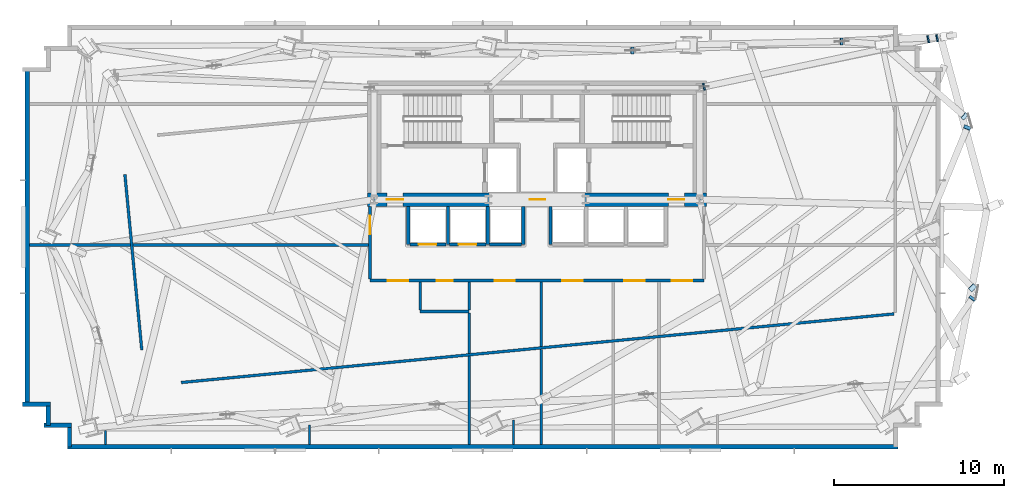
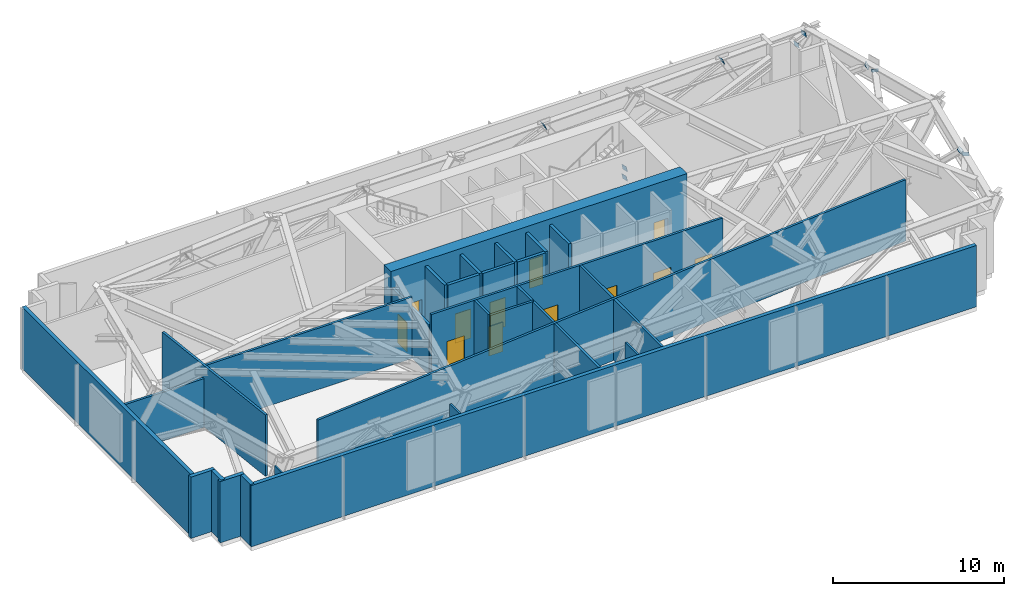
# One storey, part 6 of 11: 31 walls, 12 doors, 10 plates, 12 openings.
"""IFC4 building model written with IfcOpenShell, lengths in metres."""

from ifc_helpers import new_model, si_unit, direction, frame, frame_2d, origin, origin_2d, place, context, subcontext, project, spatial, rectangle, extrude, source, transform, mapped, material, layer, layer_set, type_object, type_shapes, element, fill, save


model = new_model("IFC4")

# Units and contexts
model_context = context("Model", 3, precision=1e-05, world=origin(), true_north=direction((0.0, 1.0)))
body_context = subcontext(model_context, "Body", "Model", "MODEL_VIEW")
ifc_project = project(units=[si_unit("LENGTHUNIT", "METRE"), si_unit("AREAUNIT", "SQUARE_METRE"), si_unit("VOLUMEUNIT", "CUBIC_METRE"), si_unit("PLANEANGLEUNIT", "RADIAN"), si_unit("MASSUNIT", "GRAM", prefix="KILO")], contexts=[model_context])

# Site, building, storey
site_placement = place(None, origin())
site = spatial("IfcSite", under=ifc_project, at=site_placement, CompositionType="ELEMENT")
building_placement = place(site_placement, origin())
building = spatial("IfcBuilding", under=site, at=building_placement, Name="Astriad Promenade Condominiums", CompositionType="ELEMENT")
storey_placement = place(building_placement, frame((0.0, 0.0, 67.800048828125)))
storey = spatial("IfcBuildingStorey", under=building, at=storey_placement, Name="L19", CompositionType="ELEMENT", Elevation=67.800048828125)

# Plates
ifc_material_1 = material(Name="Steel ASTM A572 Grade 50", Category="steel")
ifc_layer_1 = layer(ifc_material_1, 0.02490234375)
ifc_layer_set_1 = layer_set([ifc_layer_1], Name="Steel ASTM A572 Grade 50")
plate_type = type_object("IfcPlateType", Name="STEEL HOLLOW SECTION END CAP PLATE 30", PredefinedType="USERDEFINED", material=ifc_layer_set_1)
shared_shape_1 = source(origin(), body_context, "Body", "SweptSolid", [
    extrude(rectangle(XDim=0.41259765625, YDim=0.40771484375, at=origin_2d()), origin(), (0.0, 0.0, 1.0), 0.02490234375),
])
type_shapes(plate_type, [shared_shape_1])
for number, where, z_axis, x_axis, name in (
    (1, (41.61181640625, 26.203369140625, 4.189697265625), (0.906587220852, -0.031031662995, 0.420876046931), (0.034209063848, 0.999414698687, 0.0), "Hollow Section End Cap Plate BRACE-BELT-L19-07A-B"),
    (2, (53.953857421875, 26.73193359375, 4.190185546875), (0.917218163805, 0.021111279996, 0.397825531915), (-0.0230105454, 0.999735222347, 0.0), "Hollow Section End Cap Plate BRACE-BELT-L19-08A-B"),
    (3, (61.67529296875, 11.5546875, 4.006103515625), (0.527530110903, 0.756018650862, 0.387489072929), (-0.820088653968, 0.572236489253, 0.0), "Hollow Section End Cap Plate BRACE-BELT-L19-11A-B"),
    (4, (61.680908203125, 12.204833984375, 3.86962890625), (0.517085719124, -0.54418370113, 0.660671218158), (0.724925458077, 0.688827322506, 0.0), "Hollow Section End Cap Plate BRACE-BELT-L19-11B-B"),
    (5, (61.371826171875, 21.6328125, 3.95703125), (0.332083349906, 0.808619573772, 0.485649084863), (-0.925031179518, 0.379891190896, 0.0), "Hollow Section End Cap Plate BRACE-BELT-L19-12A-B"),
    (6, (61.212890625, 22.319091796875, 3.945556640625), (0.649943909942, -0.56443238995, 0.508909609955), (0.655691566339, 0.755028853642, 0.0), "Hollow Section End Cap Plate BRACE-BELT-L19-12B-B"),
    (7, (45.8427734375, 24.051513671875, 0.298095703125), (0.952575451687, 0.201734167934, 0.227823032925), (-0.207182539362, 0.978302302657, 0.0), "Hollow Section End Cap Plate BRACE-OUT-L19-02A-A"),
    (8, (59.069580078125, 26.8525390625, 3.46142578125), (0.952575451687, 0.201734167934, 0.227823032925), (-0.207182539362, 0.978302302657, 0.0), "Hollow Section End Cap Plate BRACE-OUT-L19-02A-B"),
    (9, (45.84375, 24.051025390625, 0.97412109375), (0.95652242705, 0.19972672201, 0.212541956011), (-0.204396791851, 0.978888120002, 0.0), "Hollow Section End Cap Plate BRACE-OUT-L19-02B-A"),
    (10, (59.593994140625, 26.922119140625, 4.029541015625), (0.95652242705, 0.19972672201, 0.212541956011), (-0.204396791851, 0.978888120002, 0.0), "Hollow Section End Cap Plate BRACE-OUT-L19-02B-B"),
):
    element("IfcPlate", number, at=place(storey_placement, frame(where, z_axis=z_axis, x_axis=x_axis)), inside=storey, type_object=plate_type, Name=name, ObjectType="STIFFENER_PLATE", PredefinedType="USERDEFINED", context=body_context, shape_type="MappedRepresentation", body=[
        mapped(shared_shape_1, transform((0.0, 0.0, 0.0), scale=1.0)),
    ])

# Wall, openings, doors
ifc_material_2 = material(Name="Concrete C80/95", Category="concrete")
ifc_layer_2 = layer(ifc_material_2, 0.800048828125)
ifc_layer_set_2 = layer_set([ifc_layer_2], Name="Concrete C80/95")
wall_type_1 = type_object("IfcWallType", Name="CW-SHEAR-800", PredefinedType="SHEAR", material=ifc_layer_set_2)
wall_1_placement = place(storey_placement, frame((26.0, 17.39990234375, 0.0), z_axis=(0.0, 0.0, 1.0), x_axis=(1.0, 0.0, 0.0)))
wall_1 = element("IfcWall", 11, at=wall_1_placement, inside=storey, type_object=wall_type_1, Name="CW-CORE-S-L19", PredefinedType="SHEAR", context=body_context, shape_type="SweptSolid", body=[
    extrude(rectangle(XDim=20.0, YDim=0.800048828125, at=frame_2d((10.0, 0.0))), origin(), (0.0, 0.0, 1.0), 4.800048828125),
])
opening_1_placement = place(wall_1_placement, frame((1.14990234375, 0.0, 0.0)))
opening_1 = element("IfcOpeningElement", 12, at=opening_1_placement, cuts=wall_1, Name="Opening FD90-ST-095", PredefinedType="OPENING", context=body_context, shape_type="SweptSolid", body=[
    extrude(rectangle(XDim=0.949951171875, YDim=2.06005859375, at=frame_2d((0.47509765625, 1.030029296875))), frame((0.0, 0.409912109375, 0.0), z_axis=(0.0, -1.0, 0.0), x_axis=(1.0, 0.0, 0.0)), (0.0, 0.0, 1.0), 0.820068359375),
])
opening_2_placement = place(wall_1_placement, frame((9.580078125, 0.0, 0.0)))
opening_2 = element("IfcOpeningElement", 13, at=opening_2_placement, cuts=wall_1, Name="Opening FD60-CSL-090", PredefinedType="OPENING", context=body_context, shape_type="SweptSolid", body=[
    extrude(rectangle(XDim=0.89990234375, YDim=2.06005859375, at=frame_2d((0.449951171875, 1.030029296875))), frame((0.0, 0.409912109375, 0.0), z_axis=(0.0, -1.0, 0.0), x_axis=(1.0, 0.0, 0.0)), (0.0, 0.0, 1.0), 0.820068359375),
])
opening_3_placement = place(wall_1_placement, frame((17.75, 0.0, 0.0)))
opening_3 = element("IfcOpeningElement", 14, at=opening_3_placement, cuts=wall_1, Name="Opening FD90-ST-095", PredefinedType="OPENING", context=body_context, shape_type="SweptSolid", body=[
    extrude(rectangle(XDim=0.949951171875, YDim=2.06005859375, at=frame_2d((0.47509765625, 1.030029296875))), frame((0.0, 0.409912109375, 0.0), z_axis=(0.0, -1.0, 0.0), x_axis=(1.0, 0.0, 0.0)), (0.0, 0.0, 1.0), 0.820068359375),
])
ifc_material_3 = material(Name="Fire-Rated Hollow Metal Stair Door")
door_type_1 = type_object("IfcDoorType", Name="FD90-ST-095", OperationType="NOTDEFINED", PredefinedType="DOOR", material=ifc_material_3)
shared_shape_2 = source(origin(), body_context, "Body", "SweptSolid", [
    extrude(rectangle(XDim=0.949951171875, YDim=2.06005859375, at=frame_2d((0.47509765625, 1.030029296875))), frame((0.0, 0.02490234375, 0.0), z_axis=(0.0, -1.0, 0.0), x_axis=(1.0, 0.0, 0.0)), (0.0, 0.0, 1.0), 0.050048828125),
])
type_shapes(door_type_1, [shared_shape_2])
door_1_placement = place(opening_1_placement, origin())
door_1 = element("IfcDoor", 15, at=door_1_placement, inside=storey, type_object=door_type_1, Name="D-FFW-L19", OperationType="SINGLE_SWING_LEFT", OverallHeight=2.06005859375, OverallWidth=0.949951171875, PredefinedType="DOOR", context=body_context, shape_type="MappedRepresentation", body=[
    mapped(shared_shape_2, transform((0.0, 0.0, 0.0), scale=1.0)),
])
fill(opening_1, door_1)
door_2_placement = place(opening_3_placement, origin())
door_2 = element("IfcDoor", 16, at=door_2_placement, inside=storey, type_object=door_type_1, Name="D-FFE-L19", OperationType="SINGLE_SWING_RIGHT", OverallHeight=2.06005859375, OverallWidth=0.949951171875, PredefinedType="DOOR", context=body_context, shape_type="MappedRepresentation", body=[
    mapped(shared_shape_2, transform((0.0, 0.0, 0.0), scale=1.0)),
])
fill(opening_3, door_2)
ifc_material_4 = material(Name="Fire-Rated Service Lobby Door")
door_type_2 = type_object("IfcDoorType", Name="FD60-CSL-090", OperationType="NOTDEFINED", PredefinedType="DOOR", material=ifc_material_4)
shared_shape_3 = source(origin(), body_context, "Body", "SweptSolid", [
    extrude(rectangle(XDim=0.89990234375, YDim=2.06005859375, at=frame_2d((0.449951171875, 1.030029296875))), frame((0.0, 0.02490234375, 0.0), z_axis=(0.0, -1.0, 0.0), x_axis=(1.0, 0.0, 0.0)), (0.0, 0.0, 1.0), 0.050048828125),
])
type_shapes(door_type_2, [shared_shape_3])
door_3_placement = place(opening_2_placement, origin())
door_3 = element("IfcDoor", 17, at=door_3_placement, inside=storey, type_object=door_type_2, Name="D-CSL-L19", OperationType="SINGLE_SWING_RIGHT", OverallHeight=2.06005859375, OverallWidth=0.89990234375, PredefinedType="DOOR", context=body_context, shape_type="MappedRepresentation", body=[
    mapped(shared_shape_3, transform((0.0, 0.0, 0.0), scale=1.0)),
])
fill(opening_2, door_3)

# Walls
ifc_material_5 = material(Name="Fire-Rated Gypsum Partition")
ifc_layer_3 = layer(ifc_material_5, 0.159912109375)
ifc_layer_set_3 = layer_set([ifc_layer_3], Name="Fire-Rated Gypsum Partition")
wall_type_2 = type_object("IfcWallType", Name="WALL-CORR-160", PredefinedType="PARTITIONING", material=ifc_layer_set_3)
wall_2_placement = place(storey_placement, frame((57.05810546875, 10.656005859375, 0.0), z_axis=(0.0, 0.0, 1.0), x_axis=(-0.995395334336, -0.095854725402, 0.0)))
element("IfcWall", 18, at=wall_2_placement, inside=storey, type_object=wall_type_2, Name="PT-L19-BTR-02", PredefinedType="PARTITIONING", context=body_context, shape_type="SweptSolid", body=[
    extrude(rectangle(XDim=42.231689453125, YDim=0.159912109375, at=frame_2d((21.11572265625, 0.0))), origin(), (0.0, 0.0, 1.0), 4.3798828125),
])
wall_3_placement = place(storey_placement, frame((12.693115234375, 8.527099609375, 0.0), z_axis=(0.0, 0.0, 1.0), x_axis=(-0.095835489091, 0.99539718657, 0.0)))
element("IfcWall", 19, at=wall_3_placement, inside=storey, type_object=wall_type_2, Name="PT-L19-BTR-03", PredefinedType="PARTITIONING", context=body_context, shape_type="SweptSolid", body=[
    extrude(rectangle(XDim=10.393798828125, YDim=0.159912109375, at=frame_2d((5.19677734375, 0.0))), origin(), (0.0, 0.0, 1.0), 4.3798828125),
])

# Wall, openings, doors
wall_4_placement = place(storey_placement, frame((26.14990234375, 12.6201171875, 0.0), z_axis=(0.0, 0.0, 1.0), x_axis=(1.0, 0.0, 0.0)))
wall_4 = element("IfcWall", 20, at=wall_4_placement, inside=storey, type_object=wall_type_2, Name="PT-L19-PCS", PredefinedType="PARTITIONING", context=body_context, shape_type="SweptSolid", body=[
    extrude(rectangle(XDim=19.7001953125, YDim=0.159912109375, at=frame_2d((9.85009765625, 0.0))), origin(), (0.0, 0.0, 1.0), 4.3798828125),
])
opening_4_placement = place(wall_4_placement, frame((1.050048828125, 0.0, 0.0)))
opening_4 = element("IfcOpeningElement", 21, at=opening_4_placement, cuts=wall_4, Name="Opening FD90-PLT-1222", PredefinedType="OPENING", context=body_context, shape_type="SweptSolid", body=[
    extrude(rectangle(XDim=1.199951171875, YDim=2.080078125, at=frame_2d((0.60009765625, 1.0400390625))), frame((0.0, 0.08984375, 0.0), z_axis=(0.0, -1.0, 0.0), x_axis=(1.0, 0.0, 0.0)), (0.0, 0.0, 1.0), 0.179931640625),
])
opening_5_placement = place(wall_4_placement, frame((3.925048828125, 0.0, 0.0)))
opening_5 = element("IfcOpeningElement", 22, at=opening_5_placement, cuts=wall_4, Name="Opening D-WET-095", PredefinedType="OPENING", context=body_context, shape_type="SweptSolid", body=[
    extrude(rectangle(XDim=0.949951171875, YDim=2.10009765625, at=frame_2d((0.47509765625, 1.050048828125))), frame((0.0, 0.08984375, 0.0), z_axis=(0.0, -1.0, 0.0), x_axis=(1.0, 0.0, 0.0)), (0.0, 0.0, 1.0), 0.179931640625),
])
opening_6_placement = place(wall_4_placement, frame((7.35009765625, 0.0, 0.0)))
opening_6 = element("IfcOpeningElement", 23, at=opening_6_placement, cuts=wall_4, Name="Opening FD90-PLT-1222", PredefinedType="OPENING", context=body_context, shape_type="SweptSolid", body=[
    extrude(rectangle(XDim=1.199951171875, YDim=2.080078125, at=frame_2d((0.60009765625, 1.0400390625))), frame((0.0, 0.08984375, 0.0), z_axis=(0.0, -1.0, 0.0), x_axis=(1.0, 0.0, 0.0)), (0.0, 0.0, 1.0), 0.179931640625),
])
opening_7_placement = place(wall_4_placement, frame((11.35009765625, 0.0, 0.0)))
opening_7 = element("IfcOpeningElement", 24, at=opening_7_placement, cuts=wall_4, Name="Opening FD90-PLT-1222", PredefinedType="OPENING", context=body_context, shape_type="SweptSolid", body=[
    extrude(rectangle(XDim=1.199951171875, YDim=2.080078125, at=frame_2d((0.60009765625, 1.0400390625))), frame((0.0, 0.08984375, 0.0), z_axis=(0.0, -1.0, 0.0), x_axis=(1.0, 0.0, 0.0)), (0.0, 0.0, 1.0), 0.179931640625),
])
opening_8_placement = place(wall_4_placement, frame((15.0, 0.0, 0.0)))
opening_8 = element("IfcOpeningElement", 25, at=opening_8_placement, cuts=wall_4, Name="Opening FD90-PLT-1222", PredefinedType="OPENING", context=body_context, shape_type="SweptSolid", body=[
    extrude(rectangle(XDim=1.199951171875, YDim=2.080078125, at=frame_2d((0.60009765625, 1.0400390625))), frame((0.0, 0.08984375, 0.0), z_axis=(0.0, -1.0, 0.0), x_axis=(1.0, 0.0, 0.0)), (0.0, 0.0, 1.0), 0.179931640625),
])
opening_9_placement = place(wall_4_placement, frame((17.800048828125, 0.0, 0.0)))
opening_9 = element("IfcOpeningElement", 26, at=opening_9_placement, cuts=wall_4, Name="Opening FD90-PLT-1222", PredefinedType="OPENING", context=body_context, shape_type="SweptSolid", body=[
    extrude(rectangle(XDim=1.199951171875, YDim=2.080078125, at=frame_2d((0.60009765625, 1.0400390625))), frame((0.0, 0.08984375, 0.0), z_axis=(0.0, -1.0, 0.0), x_axis=(1.0, 0.0, 0.0)), (0.0, 0.0, 1.0), 0.179931640625),
])
ifc_material_6 = material(Name="Fire-Rated Double-Insulated Plant Door")
door_type_3 = type_object("IfcDoorType", Name="FD90-PLT-1222", OperationType="NOTDEFINED", PredefinedType="DOOR", material=ifc_material_6)
shared_shape_4 = source(origin(), body_context, "Body", "SweptSolid", [
    extrude(rectangle(XDim=1.199951171875, YDim=2.080078125, at=frame_2d((0.60009765625, 1.0400390625))), frame((0.0, 0.02490234375, 0.0), z_axis=(0.0, -1.0, 0.0), x_axis=(1.0, 0.0, 0.0)), (0.0, 0.0, 1.0), 0.050048828125),
])
type_shapes(door_type_3, [shared_shape_4])
door_4_placement = place(opening_4_placement, origin())
door_4 = element("IfcDoor", 27, at=door_4_placement, inside=storey, type_object=door_type_3, Name="D-L19-PL1", OperationType="SINGLE_SWING_RIGHT", OverallHeight=2.080078125, OverallWidth=1.199951171875, PredefinedType="DOOR", context=body_context, shape_type="MappedRepresentation", body=[
    mapped(shared_shape_4, transform((0.0, 0.0, 0.0), scale=1.0)),
])
fill(opening_4, door_4)
door_5_placement = place(opening_6_placement, origin())
door_5 = element("IfcDoor", 28, at=door_5_placement, inside=storey, type_object=door_type_3, Name="D-L19-PL2", OperationType="SINGLE_SWING_RIGHT", OverallHeight=2.080078125, OverallWidth=1.199951171875, PredefinedType="DOOR", context=body_context, shape_type="MappedRepresentation", body=[
    mapped(shared_shape_4, transform((0.0, 0.0, 0.0), scale=1.0)),
])
fill(opening_6, door_5)
door_6_placement = place(opening_7_placement, origin())
door_6 = element("IfcDoor", 29, at=door_6_placement, inside=storey, type_object=door_type_3, Name="D-L19-PL3", OperationType="SINGLE_SWING_LEFT", OverallHeight=2.080078125, OverallWidth=1.199951171875, PredefinedType="DOOR", context=body_context, shape_type="MappedRepresentation", body=[
    mapped(shared_shape_4, transform((0.0, 0.0, 0.0), scale=1.0)),
])
fill(opening_7, door_6)
door_7_placement = place(opening_8_placement, origin())
door_7 = element("IfcDoor", 30, at=door_7_placement, inside=storey, type_object=door_type_3, Name="D-L19-PL4", OperationType="SINGLE_SWING_RIGHT", OverallHeight=2.080078125, OverallWidth=1.199951171875, PredefinedType="DOOR", context=body_context, shape_type="MappedRepresentation", body=[
    mapped(shared_shape_4, transform((0.0, 0.0, 0.0), scale=1.0)),
])
fill(opening_8, door_7)
door_8_placement = place(opening_9_placement, origin())
door_8 = element("IfcDoor", 31, at=door_8_placement, inside=storey, type_object=door_type_3, Name="D-L19-PL5", OperationType="SINGLE_SWING_LEFT", OverallHeight=2.080078125, OverallWidth=1.199951171875, PredefinedType="DOOR", context=body_context, shape_type="MappedRepresentation", body=[
    mapped(shared_shape_4, transform((0.0, 0.0, 0.0), scale=1.0)),
])
fill(opening_9, door_8)
ifc_material_7 = material(Name="Accessible Restroom Timber Door", Category="wood")
door_type_4 = type_object("IfcDoorType", Name="D-WET-095", OperationType="NOTDEFINED", PredefinedType="DOOR", material=ifc_material_7)
shared_shape_5 = source(origin(), body_context, "Body", "SweptSolid", [
    extrude(rectangle(XDim=0.949951171875, YDim=2.10009765625, at=frame_2d((0.47509765625, 1.050048828125))), frame((0.0, 0.02490234375, 0.0), z_axis=(0.0, -1.0, 0.0), x_axis=(1.0, 0.0, 0.0)), (0.0, 0.0, 1.0), 0.050048828125),
])
type_shapes(door_type_4, [shared_shape_5])
door_9_placement = place(opening_5_placement, origin())
door_9 = element("IfcDoor", 32, at=door_9_placement, inside=storey, type_object=door_type_4, Name="D-L19-AWC", OperationType="SINGLE_SWING_LEFT", OverallHeight=2.10009765625, OverallWidth=0.949951171875, PredefinedType="DOOR", context=body_context, shape_type="MappedRepresentation", body=[
    mapped(shared_shape_5, transform((0.0, 0.0, 0.0), scale=1.0)),
])
fill(opening_5, door_9)

# Wall, opening, door
wall_5_placement = place(storey_placement, frame((26.14990234375, 12.701904296875, 0.0), z_axis=(0.0, 0.0, 1.0), x_axis=(0.0, 1.0, 0.0)))
wall_5 = element("IfcWall", 33, at=wall_5_placement, inside=storey, type_object=wall_type_2, Name="PT-L19-PCW", PredefinedType="PARTITIONING", context=body_context, shape_type="SweptSolid", body=[
    extrude(rectangle(XDim=4.296142578125, YDim=0.159912109375, at=frame_2d((2.14794921875, 0.0))), origin(), (0.0, 0.0, 1.0), 3.576171875),
])
opening_10_placement = place(wall_5_placement, frame((2.64794921875, 0.0, 0.0)))
opening_10 = element("IfcOpeningElement", 34, at=opening_10_placement, cuts=wall_5, Name="Opening FD90-REF-1121", PredefinedType="OPENING", context=body_context, shape_type="SweptSolid", body=[
    extrude(rectangle(XDim=1.10009765625, YDim=2.06005859375, at=frame_2d((0.550048828125, 1.030029296875))), frame((0.0, 0.08984375, 0.0), z_axis=(0.0, -1.0, 0.0), x_axis=(1.0, 0.0, 0.0)), (0.0, 0.0, 1.0), 0.179931640625),
])
ifc_material_8 = material(Name="Fire-Rated Refuge Door")
door_type_5 = type_object("IfcDoorType", Name="FD90-REF-1121", OperationType="NOTDEFINED", PredefinedType="DOOR", material=ifc_material_8)
shared_shape_6 = source(origin(), body_context, "Body", "SweptSolid", [
    extrude(rectangle(XDim=1.10009765625, YDim=2.06005859375, at=frame_2d((0.550048828125, 1.030029296875))), frame((0.0, 0.02490234375, 0.0), z_axis=(0.0, -1.0, 0.0), x_axis=(1.0, 0.0, 0.0)), (0.0, 0.0, 1.0), 0.050048828125),
])
type_shapes(door_type_5, [shared_shape_6])
door_10_placement = place(opening_10_placement, origin())
door_10 = element("IfcDoor", 35, at=door_10_placement, inside=storey, type_object=door_type_5, Name="D-L19-REFW", OperationType="SINGLE_SWING_RIGHT", OverallHeight=2.06005859375, OverallWidth=1.10009765625, PredefinedType="DOOR", context=body_context, shape_type="MappedRepresentation", body=[
    mapped(shared_shape_6, transform((0.0, 0.0, 0.0), scale=1.0)),
])
fill(opening_10, door_10)

# Walls
wall_6_placement = place(storey_placement, frame((29.110107421875, 10.800048828125, 0.0), z_axis=(0.0, 0.0, 1.0), x_axis=(1.0, 0.0, 0.0)))
element("IfcWall", 36, at=wall_6_placement, inside=storey, type_object=wall_type_2, Name="PT-L19-AWCS", PredefinedType="PARTITIONING", context=body_context, shape_type="SweptSolid", body=[
    extrude(rectangle(XDim=2.889892578125, YDim=0.159912109375, at=frame_2d((1.44482421875, 0.0))), origin(), (0.0, 0.0, 1.0), 4.3798828125),
])
wall_7_placement = place(storey_placement, frame((29.110107421875, 10.882080078125, 0.0), z_axis=(0.0, 0.0, 1.0), x_axis=(0.0, 1.0, 0.0)))
element("IfcWall", 37, at=wall_7_placement, inside=storey, type_object=wall_type_2, Name="PT-L19-AWCW", PredefinedType="PARTITIONING", context=body_context, shape_type="SweptSolid", body=[
    extrude(rectangle(XDim=1.656005859375, YDim=0.159912109375, at=frame_2d((0.828125, 0.0))), origin(), (0.0, 0.0, 1.0), 4.3798828125),
])
wall_8_placement = place(storey_placement, frame((6.06201171875, 14.719970703125, 0.0), z_axis=(0.0, 0.0, 1.0), x_axis=(1.0, 0.0, 0.0)))
element("IfcWall", 38, at=wall_8_placement, inside=storey, type_object=wall_type_2, Name="PT-L19-PCNW", PredefinedType="PARTITIONING", context=body_context, shape_type="SweptSolid", body=[
    extrude(rectangle(XDim=5.952392578125, YDim=0.159912109375, at=frame_2d((2.97607421875, 0.0))), origin(), (0.0, 0.0, 1.0), 3.48486328125),
])
wall_9_placement = place(storey_placement, frame((12.17919921875, 14.719970703125, 0.0), z_axis=(0.0, 0.0, 1.0), x_axis=(1.0, 0.0, 0.0)))
element("IfcWall", 39, at=wall_9_placement, inside=storey, type_object=wall_type_2, Name="PT-L19-PCNW-S2", PredefinedType="PARTITIONING", context=body_context, shape_type="SweptSolid", body=[
    extrude(rectangle(XDim=13.888916015625, YDim=0.159912109375, at=frame_2d((6.9443359375, 0.0))), origin(), (0.0, 0.0, 1.0), 4.3798828125),
])
wall_10_placement = place(storey_placement, frame((32.0, 2.9619140625, 0.0), z_axis=(0.0, 0.0, 1.0), x_axis=(0.0, 1.0, 0.0)))
element("IfcWall", 40, at=wall_10_placement, inside=storey, type_object=wall_type_2, Name="PT-L19-PV1", PredefinedType="PARTITIONING", context=body_context, shape_type="SweptSolid", body=[
    extrude(rectangle(XDim=5.19873046875, YDim=0.159912109375, at=frame_2d((2.599365234375, 0.0))), origin(), (0.0, 0.0, 1.0), 4.3798828125),
])
wall_11_placement = place(storey_placement, frame((32.0, 8.325439453125, 0.0), z_axis=(0.0, 0.0, 1.0), x_axis=(0.0, 1.0, 0.0)))
element("IfcWall", 41, at=wall_11_placement, inside=storey, type_object=wall_type_2, Name="PT-L19-PV1-S2", PredefinedType="PARTITIONING", context=body_context, shape_type="SweptSolid", body=[
    extrude(rectangle(XDim=2.392578125, YDim=0.159912109375, at=frame_2d((1.1962890625, 0.0))), origin(), (0.0, 0.0, 1.0), 4.3798828125),
])
wall_12_placement = place(storey_placement, frame((32.0, 10.882080078125, 0.0), z_axis=(0.0, 0.0, 1.0), x_axis=(0.0, 1.0, 0.0)))
element("IfcWall", 42, at=wall_12_placement, inside=storey, type_object=wall_type_2, Name="PT-L19-PV1-S3", PredefinedType="PARTITIONING", context=body_context, shape_type="SweptSolid", body=[
    extrude(rectangle(XDim=1.656005859375, YDim=0.159912109375, at=frame_2d((0.828125, 0.0))), origin(), (0.0, 0.0, 1.0), 4.3798828125),
])
wall_13_placement = place(storey_placement, frame((36.25, 2.9619140625, 0.0), z_axis=(0.0, 0.0, 1.0), x_axis=(0.0, 1.0, 0.0)))
element("IfcWall", 43, at=wall_13_placement, inside=storey, type_object=wall_type_2, Name="PT-L19-PV2", PredefinedType="PARTITIONING", context=body_context, shape_type="SweptSolid", body=[
    extrude(rectangle(XDim=5.60791015625, YDim=0.159912109375, at=frame_2d((2.803955078125, 0.0))), origin(), (0.0, 0.0, 1.0), 4.3798828125),
])
wall_14_placement = place(storey_placement, frame((36.25, 8.734619140625, 0.0), z_axis=(0.0, 0.0, 1.0), x_axis=(0.0, 1.0, 0.0)))
element("IfcWall", 44, at=wall_14_placement, inside=storey, type_object=wall_type_2, Name="PT-L19-PV2-S2", PredefinedType="PARTITIONING", context=body_context, shape_type="SweptSolid", body=[
    extrude(rectangle(XDim=3.803466796875, YDim=0.159912109375, at=frame_2d((1.90185546875, 0.0))), origin(), (0.0, 0.0, 1.0), 4.3798828125),
])
ifc_material_9 = material(Name="Precast concrete C50/60", Category="concrete")
ifc_layer_4 = layer(ifc_material_9, 0.260009765625)
ifc_layer_set_4 = layer_set([ifc_layer_4], Name="Precast concrete C50/60")
wall_type_3 = type_object("IfcWallType", Name="WALL-EXT-TWR-260", PredefinedType="STANDARD", material=ifc_layer_set_4)
wall_15_placement = place(storey_placement, frame((8.56005859375, 4.080078125, 0.0), z_axis=(0.0, 0.0, 1.0), x_axis=(-1.0, 0.0, 0.0)))
element("IfcWall", 45, at=wall_15_placement, inside=storey, type_object=wall_type_3, Name="W-SER-L19-00", PredefinedType="STANDARD", context=body_context, shape_type="SweptSolid", body=[
    extrude(rectangle(XDim=1.64013671875, YDim=0.260009765625, at=frame_2d((0.820068359375, 0.0))), origin(), (0.0, 0.0, 1.0), 4.3798828125),
])
wall_16_placement = place(storey_placement, frame((7.179931640625, 4.06494140625, 0.0), z_axis=(0.0, 0.0, 1.0), x_axis=(0.0, 1.0, 0.0)))
element("IfcWall", 46, at=wall_16_placement, inside=storey, type_object=wall_type_3, Name="W-SER-L19-01", PredefinedType="STANDARD", context=body_context, shape_type="SweptSolid", body=[
    extrude(rectangle(XDim=1.150146484375, YDim=0.260009765625, at=frame_2d((0.5751953125, 0.0))), origin(), (0.0, 0.0, 1.0), 4.3798828125),
])
wall_17_placement = place(storey_placement, frame((7.31005859375, 5.330078125, 0.0), z_axis=(0.0, 0.0, 1.0), x_axis=(-1.0, 0.0, 0.0)))
element("IfcWall", 47, at=wall_17_placement, inside=storey, type_object=wall_type_3, Name="W-SER-L19-02", PredefinedType="STANDARD", context=body_context, shape_type="SweptSolid", body=[
    extrude(rectangle(XDim=1.64013671875, YDim=0.260009765625, at=frame_2d((0.820068359375, 0.0))), origin(), (0.0, 0.0, 1.0), 4.3798828125),
])
wall_18_placement = place(storey_placement, frame((5.929931640625, 5.199951171875, 0.0), z_axis=(0.0, 0.0, 1.0), x_axis=(0.0, 1.0, 0.0)))
element("IfcWall", 48, at=wall_18_placement, inside=storey, type_object=wall_type_3, Name="W-PLT-L19-W", PredefinedType="STANDARD", context=body_context, shape_type="SweptSolid", body=[
    extrude(rectangle(XDim=20.0, YDim=0.260009765625, at=frame_2d((10.0, 0.0))), origin(), (0.0, 0.0, 1.0), 4.3798828125),
])
wall_19_placement = place(storey_placement, frame((57.300048828125, 2.830078125, 0.0), z_axis=(0.0, 0.0, 1.0), x_axis=(-1.0, 0.0, 0.0)))
element("IfcWall", 49, at=wall_19_placement, inside=storey, type_object=wall_type_3, Name="W-PLT-L19-S", PredefinedType="STANDARD", context=body_context, shape_type="SweptSolid", body=[
    extrude(rectangle(XDim=49.0, YDim=0.260009765625, at=frame_2d((24.5, 0.0))), origin(), (0.0, 0.0, 1.0), 4.3798828125),
])
wall_20_placement = place(storey_placement, frame((8.429931640625, 2.81494140625, 0.0), z_axis=(0.0, 0.0, 1.0), x_axis=(0.0, 1.0, 0.0)))
element("IfcWall", 50, at=wall_20_placement, inside=storey, type_object=wall_type_3, Name="W-SER-L19-19", PredefinedType="STANDARD", context=body_context, shape_type="SweptSolid", body=[
    extrude(rectangle(XDim=1.150146484375, YDim=0.260009765625, at=frame_2d((0.5751953125, 0.0))), origin(), (0.0, 0.0, 1.0), 4.3798828125),
])
ifc_material_10 = material(Name="Acoustic Metal-Stud Gypsum Partition")
ifc_layer_5 = layer(ifc_material_10, 0.1201171875)
ifc_layer_set_5 = layer_set([ifc_layer_5], Name="Acoustic Metal-Stud Gypsum Partition")
wall_type_4 = type_object("IfcWallType", Name="WALL-PART-120", PredefinedType="PARTITIONING", material=ifc_layer_set_5)
wall_21_placement = place(storey_placement, frame((10.54150390625, 3.782470703125, 0.0), z_axis=(0.0, 0.0, 1.0), x_axis=(0.0, -1.0, 0.0)))
element("IfcWall", 51, at=wall_21_placement, inside=storey, type_object=wall_type_4, Name="PT-PIL-L19-PC01-8", PredefinedType="PARTITIONING", context=body_context, shape_type="SweptSolid", body=[
    extrude(rectangle(XDim=0.820556640625, YDim=0.1201171875, at=frame_2d((0.41015625, 0.0))), origin(), (0.0, 0.0, 1.0), 4.3798828125),
])
wall_22_placement = place(storey_placement, frame((22.576416015625, 4.09619140625, 0.0), z_axis=(0.0, 0.0, 1.0), x_axis=(0.0, -1.0, 0.0)))
element("IfcWall", 52, at=wall_22_placement, inside=storey, type_object=wall_type_4, Name="PT-PIL-L19-PC02-9", PredefinedType="PARTITIONING", context=body_context, shape_type="SweptSolid", body=[
    extrude(rectangle(XDim=1.13427734375, YDim=0.1201171875, at=frame_2d((0.567138671875, 0.0))), origin(), (0.0, 0.0, 1.0), 4.3798828125),
])
wall_23_placement = place(storey_placement, frame((34.611328125, 4.41015625, 0.0), z_axis=(0.0, 0.0, 1.0), x_axis=(0.0, -1.0, 0.0)))
element("IfcWall", 53, at=wall_23_placement, inside=storey, type_object=wall_type_4, Name="PT-PIL-L19-PC03-10", PredefinedType="PARTITIONING", context=body_context, shape_type="SweptSolid", body=[
    extrude(rectangle(XDim=1.4482421875, YDim=0.1201171875, at=frame_2d((0.72412109375, 0.0))), origin(), (0.0, 0.0, 1.0), 4.3798828125),
])
ifc_material_11 = material(Name="Gypsum Shaftliner Assembly")
ifc_layer_6 = layer(ifc_material_11, 0.199951171875)
ifc_layer_set_6 = layer_set([ifc_layer_6], Name="Gypsum Shaftliner Assembly")
wall_type_5 = type_object("IfcWallType", Name="WALL-SHAFT-200", PredefinedType="PARTITIONING", material=ifc_layer_set_6)
for number, where, z_axis, x_axis, name in (
    (54, (28.39990234375, 14.75, 0.0), (0.0, 0.0, 1.0), (0.0, 1.0, 0.0), "PL-W-OUT-L19"),
    (55, (30.75, 14.75, 0.0), (0.0, 0.0, 1.0), (0.0, 1.0, 0.0), "PL-L-DIV-L19"),
    (56, (33.10009765625, 14.75, 0.0), (0.0, 0.0, 1.0), (0.0, 1.0, 0.0), "PL-LM-DIV-L19"),
):
    element("IfcWall", number, at=place(storey_placement, frame(where, z_axis=z_axis, x_axis=x_axis)), inside=storey, type_object=wall_type_5, Name=name, PredefinedType="PARTITIONING", context=body_context, shape_type="SweptSolid", body=[
        extrude(rectangle(XDim=2.248046875, YDim=0.199951171875, at=frame_2d((1.1240234375, 0.0))), origin(), (0.0, 0.0, 1.0), 4.3798828125),
    ])

# Wall, opening, door
wall_24_placement = place(storey_placement, frame((28.501953125, 14.75, 0.0), z_axis=(0.0, 0.0, 1.0), x_axis=(1.0, 0.0, 0.0)))
wall_24 = element("IfcWall", 57, at=wall_24_placement, inside=storey, type_object=wall_type_5, Name="PL-L-FRT-L19", PredefinedType="PARTITIONING", context=body_context, shape_type="SweptSolid", body=[
    extrude(rectangle(XDim=2.14599609375, YDim=0.199951171875, at=frame_2d((1.072998046875, 0.0))), origin(), (0.0, 0.0, 1.0), 4.3798828125),
])
opening_11_placement = place(wall_24_placement, frame((0.52294921875, 0.0, 0.0)))
opening_11 = element("IfcOpeningElement", 58, at=opening_11_placement, cuts=wall_24, Name="Opening LD-PL-10522", PredefinedType="OPENING", context=body_context, shape_type="SweptSolid", body=[
    extrude(rectangle(XDim=1.050048828125, YDim=2.080078125, at=frame_2d((0.52490234375, 1.0400390625))), frame((0.0, 0.10986328125, 0.0), z_axis=(0.0, -1.0, 0.0), x_axis=(1.0, 0.0, 0.0)), (0.0, 0.0, 1.0), 0.219970703125),
])
ifc_material_12 = material(Name="Brushed Bronze Passenger Elevator Landing Door")
door_type_6 = type_object("IfcDoorType", Name="LD-PL-10522", OperationType="NOTDEFINED", PredefinedType="DOOR", material=ifc_material_12)
shared_shape_7 = source(origin(), body_context, "Body", "SweptSolid", [
    extrude(rectangle(XDim=1.050048828125, YDim=2.080078125, at=frame_2d((0.52490234375, 1.0400390625))), frame((0.0, 0.02490234375, 0.0), z_axis=(0.0, -1.0, 0.0), x_axis=(1.0, 0.0, 0.0)), (0.0, 0.0, 1.0), 0.050048828125),
])
type_shapes(door_type_6, [shared_shape_7])
door_11_placement = place(opening_11_placement, origin())
door_11 = element("IfcDoor", 59, at=door_11_placement, inside=storey, type_object=door_type_6, Name="Elevator Landing Door PL-L1 (L19)", OperationType="SLIDING_TO_LEFT", OverallHeight=2.080078125, OverallWidth=1.050048828125, PredefinedType="DOOR", context=body_context, shape_type="MappedRepresentation", body=[
    mapped(shared_shape_7, transform((0.0, 0.0, 0.0), scale=1.0)),
])
fill(opening_11, door_11)

wall_25_placement = place(storey_placement, frame((30.85205078125, 14.75, 0.0), z_axis=(0.0, 0.0, 1.0), x_axis=(1.0, 0.0, 0.0)))
wall_25 = element("IfcWall", 60, at=wall_25_placement, inside=storey, type_object=wall_type_5, Name="PL-L-FRT-L19-S2", PredefinedType="PARTITIONING", context=body_context, shape_type="SweptSolid", body=[
    extrude(rectangle(XDim=2.14599609375, YDim=0.199951171875, at=frame_2d((1.072998046875, 0.0))), origin(), (0.0, 0.0, 1.0), 4.3798828125),
])
opening_12_placement = place(wall_25_placement, frame((0.52294921875, 0.0, 0.0)))
opening_12 = element("IfcOpeningElement", 61, at=opening_12_placement, cuts=wall_25, Name="Opening LD-PL-10522", PredefinedType="OPENING", context=body_context, shape_type="SweptSolid", body=[
    extrude(rectangle(XDim=1.050048828125, YDim=2.080078125, at=frame_2d((0.52490234375, 1.0400390625))), frame((0.0, 0.10986328125, 0.0), z_axis=(0.0, -1.0, 0.0), x_axis=(1.0, 0.0, 0.0)), (0.0, 0.0, 1.0), 0.219970703125),
])
door_12_placement = place(opening_12_placement, origin())
door_12 = element("IfcDoor", 62, at=door_12_placement, inside=storey, type_object=door_type_6, Name="Elevator Landing Door PL-L2 (L19)", OperationType="SLIDING_TO_RIGHT", OverallHeight=2.080078125, OverallWidth=1.050048828125, PredefinedType="DOOR", context=body_context, shape_type="MappedRepresentation", body=[
    mapped(shared_shape_7, transform((0.0, 0.0, 0.0), scale=1.0)),
])
fill(opening_12, door_12)

# Walls
wall_26_placement = place(storey_placement, frame((35.199951171875, 14.75, 0.0), z_axis=(0.0, 0.0, 1.0), x_axis=(0.0, 1.0, 0.0)))
element("IfcWall", 63, at=wall_26_placement, inside=storey, type_object=wall_type_5, Name="PL-M1-E-L19", PredefinedType="PARTITIONING", context=body_context, shape_type="SweptSolid", body=[
    extrude(rectangle(XDim=2.248046875, YDim=0.199951171875, at=frame_2d((1.1240234375, 0.0))), origin(), (0.0, 0.0, 1.0), 4.3798828125),
])
wall_27_placement = place(storey_placement, frame((33.201904296875, 14.75, 0.0), z_axis=(0.0, 0.0, 1.0), x_axis=(1.0, 0.0, 0.0)))
element("IfcWall", 64, at=wall_27_placement, inside=storey, type_object=wall_type_5, Name="PL-M1-F-L19", PredefinedType="PARTITIONING", context=body_context, shape_type="SweptSolid", body=[
    extrude(rectangle(XDim=1.89599609375, YDim=0.199951171875, at=frame_2d((0.947998046875, 0.0))), origin(), (0.0, 0.0, 1.0), 4.3798828125),
])
wall_28_placement = place(storey_placement, frame((36.800048828125, 14.75, 0.0), z_axis=(0.0, 0.0, 1.0), x_axis=(0.0, 1.0, 0.0)))
element("IfcWall", 65, at=wall_28_placement, inside=storey, type_object=wall_type_5, Name="PL-M2-W-L19", PredefinedType="PARTITIONING", context=body_context, shape_type="SweptSolid", body=[
    extrude(rectangle(XDim=2.248046875, YDim=0.199951171875, at=frame_2d((1.1240234375, 0.0))), origin(), (0.0, 0.0, 1.0), 4.3798828125),
])

save(model, "model.ifc")
